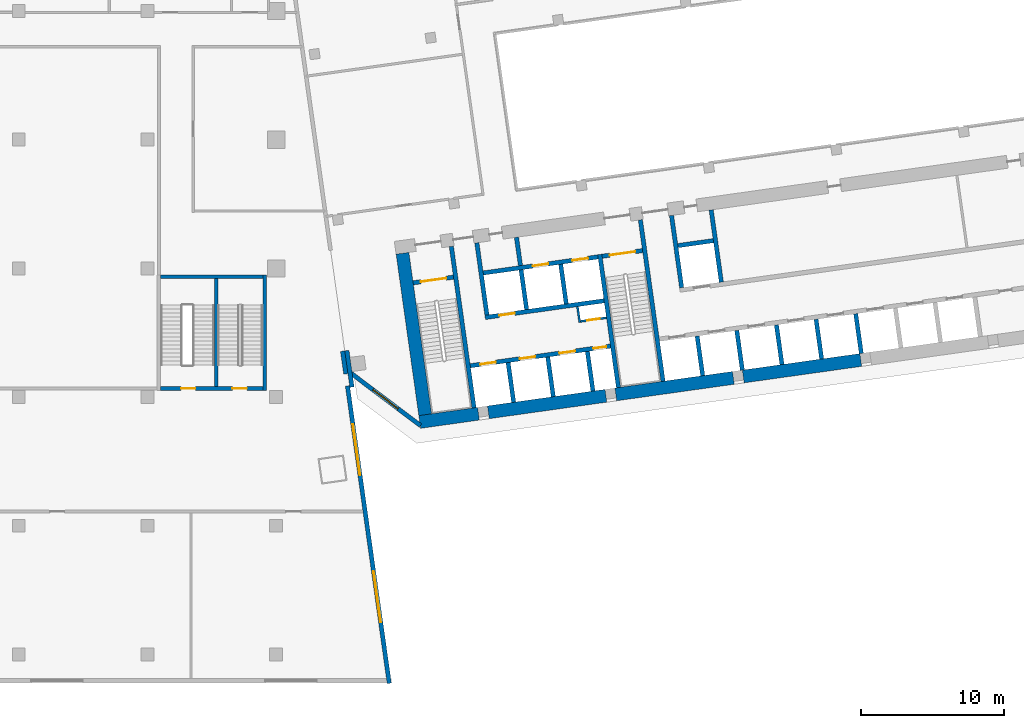
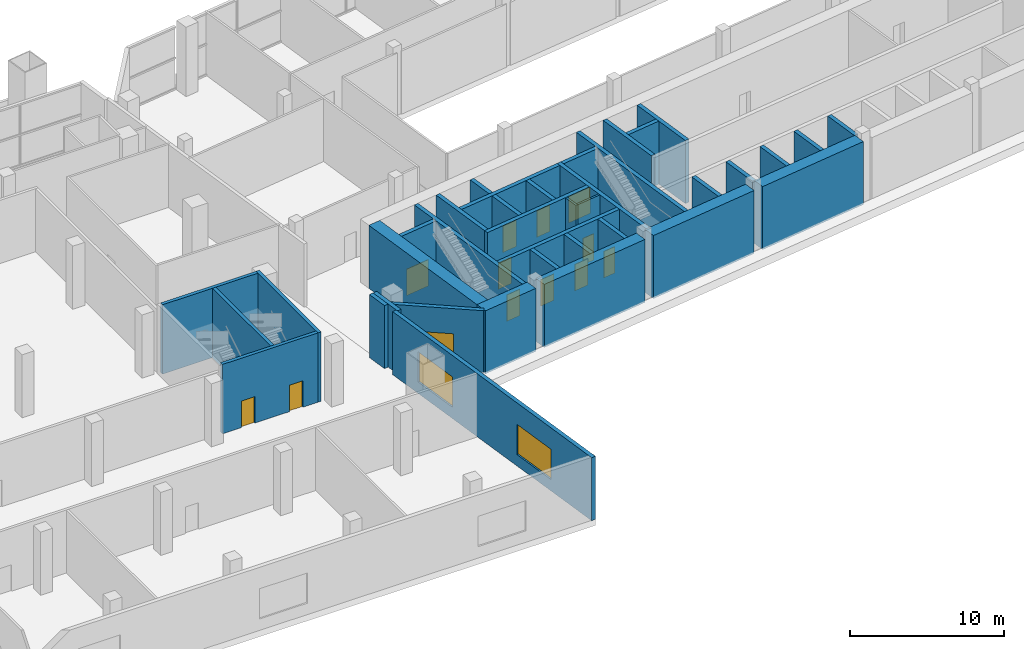
# One storey, part 15 of 23: 38 walls, 12 doors, 3 windows, 15 openings.
"""IFC4 building model written with IfcOpenShell, lengths in metres."""

import ifcopenshell
import ifcopenshell.guid

model = None  # the IFC model being written
_history = None  # IfcOwnerHistory: only IFC2X3 demands one
_inside = {}  # id of a spatial element -> (the spatial element, [elements in it])
_under = {}  # id of a project, library or spatial element -> (it, [spatial elements below it])
_declared = {}  # id of a project -> (the project, [libraries it declares])
_typed = {}  # id of a type object -> (the type object, [elements of that type])
_made_of = {}  # id of a material, layer set ... -> (it, [elements and type objects made of it])


def new_model(schema):
    """Start an empty IFC model of exactly this schema.

    Asked for "IFC4X3", IfcOpenShell would pick the latest addendum, in which some entities
    have other attributes; the version numbers below select the first issue.
    IFC2X3 requires an IfcOwnerHistory on every rooted entity: one is made here for all.
    """
    global model, _history
    if schema == "IFC4X3":
        model = ifcopenshell.file(schema_version=(4, 3, 0, 0))
    else:
        model = ifcopenshell.file(schema=schema)
    _inside.clear()
    _under.clear()
    _declared.clear()
    _typed.clear()
    _made_of.clear()
    _history = None
    if model.schema == "IFC2X3":
        org = make("IfcOrganization", Name="unknown")
        user = make(
            "IfcPersonAndOrganization",
            ThePerson=make("IfcPerson", FamilyName="unknown"),
            TheOrganization=org,
        )
        app = make(
            "IfcApplication",
            ApplicationDeveloper=org,
            Version="unknown",
            ApplicationFullName="unknown",
            ApplicationIdentifier="unknown",
        )
        _history = make(
            "IfcOwnerHistory",
            OwningUser=user,
            OwningApplication=app,
            ChangeAction="ADDED",
            CreationDate=0,
        )
    return model


def make(cls, **values):
    """One entity of the class cls with the attributes given. An attribute that is None is left unset."""
    return model.create_entity(
        cls, **{name: value for name, value in values.items() if value is not None}
    )


def rooted(cls, **values):
    """An entity with a GlobalId (a new one), such as an element, a storey or a relation."""
    return make(cls, GlobalId=ifcopenshell.guid.new(), OwnerHistory=_history, **values)


def si_unit(unit_type, name, prefix=None):
    """IfcSIUnit, for example si_unit("LENGTHUNIT", "METRE", prefix="MILLI")."""
    return make("IfcSIUnit", UnitType=unit_type, Prefix=prefix, Name=name)


def assignment(units):
    """IfcUnitAssignment: the units of a project."""
    return None if units is None else make("IfcUnitAssignment", Units=units)


def point(xyz):
    """IfcCartesianPoint."""
    return None if xyz is None else make("IfcCartesianPoint", Coordinates=xyz)


def direction(xyz):
    """IfcDirection."""
    return None if xyz is None else make("IfcDirection", DirectionRatios=xyz)


def frame(location, z_axis=None, x_axis=None):
    """IfcAxis2Placement3D, a coordinate frame: its origin and axes. An axis left out is left unset."""
    return make(
        "IfcAxis2Placement3D",
        Location=point(location),
        Axis=direction(z_axis),
        RefDirection=direction(x_axis),
    )


def frame_2d(location, x_axis=None):
    """IfcAxis2Placement2D, a coordinate frame in the plane: its origin and x axis."""
    return make(
        "IfcAxis2Placement2D", Location=point(location), RefDirection=direction(x_axis)
    )


def origin():
    """The frame at (0, 0, 0) with its axes left unset."""
    return frame((0.0, 0.0, 0.0))


def place(relative_to, where):
    """IfcLocalPlacement: puts the frame where relative to a parent placement (None: the world)."""
    return make(
        "IfcLocalPlacement", PlacementRelTo=relative_to, RelativePlacement=where
    )


def context(
    kind, dimensions, precision=None, world=None, true_north=None, identifier=None
):
    """IfcGeometricRepresentationContext, for example the 3D "Model" context."""
    return make(
        "IfcGeometricRepresentationContext",
        ContextIdentifier=identifier,
        ContextType=kind,
        CoordinateSpaceDimension=dimensions,
        Precision=precision,
        WorldCoordinateSystem=world,
        TrueNorth=true_north,
    )


def subcontext(parent, identifier, kind, view, scale=None):
    """IfcGeometricRepresentationSubContext, for example "Body" below "Model"."""
    return make(
        "IfcGeometricRepresentationSubContext",
        ContextIdentifier=identifier,
        ContextType=kind,
        ParentContext=parent,
        TargetScale=scale,
        TargetView=view,
    )


def project(units=None, contexts=None):
    """IfcProject with its units and contexts."""
    return rooted(
        "IfcProject",
        Name="project",
        RepresentationContexts=contexts,
        UnitsInContext=assignment(units),
    )


def spatial(cls, under=None, at=None, **own):
    """A site, building, storey or space (cls), placed at a placement, below another one or the project."""
    s = rooted(cls, ObjectPlacement=at, **own)
    if under is not None:
        _under.setdefault(under.id(), (under, []))[1].append(s)
    return s


def profile(cls, at=None, kind="AREA", **sizes):
    """A parametric profile (cls). Its sizes go by their IFC names, for example OverallWidth=200.0."""
    return make(cls, ProfileType=kind, Position=at, **sizes)


def rectangle(**sizes):
    """IfcRectangleProfileDef."""
    return profile("IfcRectangleProfileDef", **sizes)


def extrude(swept, where, along, depth):
    """IfcExtrudedAreaSolid: the profile swept, set in the frame where, extruded along a direction by depth."""
    return make(
        "IfcExtrudedAreaSolid",
        SweptArea=swept,
        Position=where,
        ExtrudedDirection=direction(along),
        Depth=depth,
    )


def shape(context_of_items, identifier, shape_type, items):
    """IfcShapeRepresentation: the items that make up one representation, for example the "Body"."""
    return make(
        "IfcShapeRepresentation",
        ContextOfItems=context_of_items,
        RepresentationIdentifier=identifier,
        RepresentationType=shape_type,
        Items=items,
    )


def material(Name=None, Category=None):
    """IfcMaterial."""
    return make("IfcMaterial", Name=Name, Category=Category)


def layer(
    of_material, thickness, ventilated=None, Name=None, Category=None, Priority=None
):
    """IfcMaterialLayer: one layer of a wall or slab, of a material (None: an air gap)."""
    return make(
        "IfcMaterialLayer",
        Material=of_material,
        LayerThickness=thickness,
        IsVentilated=ventilated,
        Name=Name,
        Category=Category,
        Priority=Priority,
    )


def layer_set(layers, Name=None):
    """IfcMaterialLayerSet."""
    return make("IfcMaterialLayerSet", MaterialLayers=layers, LayerSetName=Name)


def made_of(thing, what):
    """Note that an element or type object is made of a material, layer set ...; save() writes the relation."""
    if what is not None:
        _made_of.setdefault(what.id(), (what, []))[1].append(thing)
    return thing


def type_object(cls, material=None, **own):
    """A type object (cls), such as IfcWallType, which elements share."""
    return made_of(rooted(cls, **own), material)


def element(
    cls,
    number,
    at=None,
    inside=None,
    cuts=None,
    type_object=None,
    material=None,
    context=None,
    identifier="Body",
    shape_type=None,
    held_by="IfcProductDefinitionShape",
    body=None,
    shapes=None,
    **own,
):
    """One element of the class cls, such as IfcWall. Its Tag is "e" and its number.

    at: its placement. inside: the storey or other place that contains it. cuts: it is an
    opening in that element (IfcRelVoidsElement). A single representation is given by context,
    identifier, shape_type and body (its items); several are given by shapes. held_by: the class
    of the entity that holds the representations. save() writes the other relations.
    """
    e = rooted(cls, Tag="e%d" % number, ObjectPlacement=at, **own)
    if body is not None:
        shapes = [shape(context, identifier, shape_type, body)]
    if shapes is not None:
        e.Representation = make(held_by, Representations=shapes)
    if inside is not None:
        _inside.setdefault(inside.id(), (inside, []))[1].append(e)
    if cuts is not None:
        rooted(
            "IfcRelVoidsElement", RelatingBuildingElement=cuts, RelatedOpeningElement=e
        )
    if type_object is not None:
        _typed.setdefault(type_object.id(), (type_object, []))[1].append(e)
    return made_of(e, material)


def fill(opening, filler):
    """IfcRelFillsElement: the door or window that sits in an opening."""
    return rooted(
        "IfcRelFillsElement",
        RelatingOpeningElement=opening,
        RelatedBuildingElement=filler,
    )


def aggregate(whole, parts):
    """IfcRelAggregates: a whole, such as a stair, and the parts it consists of."""
    return rooted("IfcRelAggregates", RelatingObject=whole, RelatedObjects=parts)


def save(model, path):
    """Write the relations noted so far, then the file.

    IfcRelAggregates (storeys below a building ...), IfcRelContainedInSpatialStructure (elements
    in a storey), IfcRelDefinesByType, IfcRelAssociatesMaterial and IfcRelDeclares: one each for
    every whole, place, type object, material and project.
    """
    for whole, parts in _under.values():
        aggregate(whole, parts)
    for where, things in _inside.values():
        rooted(
            "IfcRelContainedInSpatialStructure",
            RelatedElements=things,
            RelatingStructure=where,
        )
    for kind, things in _typed.values():
        rooted("IfcRelDefinesByType", RelatedObjects=things, RelatingType=kind)
    for what, things in _made_of.values():
        rooted("IfcRelAssociatesMaterial", RelatedObjects=things, RelatingMaterial=what)
    for by, libraries in _declared.values():
        rooted("IfcRelDeclares", RelatingContext=by, RelatedDefinitions=libraries)
    model.write(path)


model = new_model("IFC4")

# Units and contexts
model_context = context("Model", 3, precision=1e-05, world=origin(), true_north=direction((0.0, 1.0)))
body_context = subcontext(model_context, "Body", "Model", "MODEL_VIEW")
ifc_project = project(units=[si_unit("LENGTHUNIT", "METRE"), si_unit("AREAUNIT", "SQUARE_METRE"), si_unit("VOLUMEUNIT", "CUBIC_METRE"), si_unit("PLANEANGLEUNIT", "RADIAN"), si_unit("MASSUNIT", "GRAM", prefix="KILO")], contexts=[model_context])

# Site, building, storey
site_placement = place(None, origin())
site = spatial("IfcSite", under=ifc_project, at=site_placement, CompositionType="ELEMENT")
building_placement = place(site_placement, origin())
building = spatial("IfcBuilding", under=site, at=building_placement, Name="Mirante Cascada Hotel Towers", CompositionType="ELEMENT")
storey_placement = place(building_placement, frame((0.0, 0.0, 23.5)))
storey = spatial("IfcBuildingStorey", under=building, at=storey_placement, Name="L03", CompositionType="ELEMENT", Elevation=23.5)

# Wall
ifc_material_1 = material(Name="Masonry block", Category="masonry")
ifc_layer_1 = layer(ifc_material_1, 0.15)
ifc_layer_set_1 = layer_set([ifc_layer_1], Name="Core room partition 150 block EI 30")
wall_type_1 = type_object("IfcWallType", Name="Core room partition 150 block EI 30", PredefinedType="PARTITIONING", material=ifc_layer_set_1)
wall_1_placement = place(storey_placement, frame((48.2295, -12.793, 0.0), z_axis=(0.0, 0.0, 1.0), x_axis=(-0.1391935, 0.9902652, 0.0)))
element("IfcWall", 1, at=wall_1_placement, inside=storey, type_object=wall_type_1, Name="Core wall partition T2 L03 2", PredefinedType="PARTITIONING", context=body_context, shape_type="SweptSolid", body=[
    extrude(rectangle(XDim=1.1251, YDim=0.15, at=frame_2d((0.5626, 0.0))), origin(), (0.0, 0.0, 1.0), 5.0),
])

# Wall, opening, door
wall_2_placement = place(storey_placement, frame((48.2933, -12.7083, 0.0), z_axis=(0.0, 0.0, 1.0), x_axis=(0.990268, 0.1391734, 0.0)))
wall_2 = element("IfcWall", 2, at=wall_2_placement, inside=storey, type_object=wall_type_1, Name="Core wall partition T2 L03 3", PredefinedType="PARTITIONING", context=body_context, shape_type="SweptSolid", body=[
    extrude(rectangle(XDim=1.8251, YDim=0.15, at=frame_2d((0.9126, 0.0))), origin(), (0.0, 0.0, 1.0), 5.0),
])
opening_1_placement = place(wall_2_placement, frame((0.4625, 0.0, 0.0)))
opening_1 = element("IfcOpeningElement", 3, at=opening_1_placement, cuts=wall_2, Name="Opening D2-03-C26", PredefinedType="OPENING", context=body_context, shape_type="SweptSolid", body=[
    extrude(rectangle(XDim=0.9, YDim=2.1, at=frame_2d((0.45, 1.05))), frame((0.0, 0.075, 0.0), z_axis=(0.0, -1.0, 0.0), x_axis=(1.0, 0.0, 0.0)), (0.0, 0.0, 1.0), 0.15),
])
ifc_material_2 = material(Name="Hollow metal fire door leaf")
door_type_1 = type_object("IfcDoorType", Name="Fire door 900x2100 FD60", OperationType="NOTDEFINED", PredefinedType="DOOR", material=ifc_material_2)
door_1_placement = place(opening_1_placement, frame((0.9, 0.0, 0.0), z_axis=(0.0, 0.0, 1.0), x_axis=(-1.0, 0.0, 0.0)))
door_1 = element("IfcDoor", 4, at=door_1_placement, inside=storey, type_object=door_type_1, Name="Riser door T2 L03 26", OperationType="SINGLE_SWING_LEFT", OverallHeight=2.1, OverallWidth=0.9, PredefinedType="DOOR", context=body_context, shape_type="SweptSolid", body=[
    extrude(rectangle(XDim=0.9, YDim=2.1, at=frame_2d((0.45, 1.05))), frame((0.0, 0.025, 0.0), z_axis=(0.0, -1.0, 0.0), x_axis=(1.0, 0.0, 0.0)), (0.0, 0.0, 1.0), 0.05),
])
fill(opening_1, door_1)

# Wall
ifc_material_3 = material(Name="Masonry block", Category="masonry")
ifc_layer_2 = layer(ifc_material_3, 0.3)
ifc_layer_set_2 = layer_set([ifc_layer_2], Name="Core wall 300 block EI 120")
wall_type_2 = type_object("IfcWallType", Name="Core wall 300 block EI 120", PredefinedType="PARTITIONING", material=ifc_layer_set_2)
wall_3_placement = place(storey_placement, frame((44.0843, -8.8061, 0.0), z_axis=(0.0, 0.0, 1.0), x_axis=(-0.1391951, 0.990265, 0.0)))
element("IfcWall", 5, at=wall_3_placement, inside=storey, type_object=wall_type_2, Name="Core wall partition T2 L03 1", PredefinedType="PARTITIONING", context=body_context, shape_type="SweptSolid", body=[
    extrude(rectangle(XDim=2.0001, YDim=0.3, at=frame_2d((1.0001, 0.0))), origin(), (0.0, 0.0, 1.0), 5.0),
])

# Wall, opening, window
ifc_material_4 = material(Name="Precast concrete C40/50", Category="concrete")
ifc_layer_3 = layer(ifc_material_4, 0.3)
ifc_layer_set_3 = layer_set([ifc_layer_3], Name="Precast concrete C40/50 cladding wall 300")
wall_type_3 = type_object("IfcWallType", Name="Precast concrete C40/50 cladding wall 300", PredefinedType="STANDARD", material=ifc_layer_set_3)
wall_4_placement = place(storey_placement, frame((32.2074, -16.3138, 0.0), z_axis=(0.0, 0.0, 1.0), x_axis=(0.7986362, -0.6018141, 0.0)))
wall_4 = element("IfcWall", 6, at=wall_4_placement, inside=storey, type_object=wall_type_3, Name="Corner cladding wall T2 L03 inner rear", PredefinedType="STANDARD", context=body_context, shape_type="SweptSolid", body=[
    extrude(rectangle(XDim=6.1157, YDim=0.3, at=frame_2d((3.0578, 0.0))), origin(), (0.0, 0.0, 1.0), 5.0),
])
opening_2_placement = place(wall_4_placement, frame((1.9578, 0.0, 0.6)))
opening_2 = element("IfcOpeningElement", 7, at=opening_2_placement, cuts=wall_4, Name="Opening W2-03-05", PredefinedType="OPENING", context=body_context, shape_type="SweptSolid", body=[
    extrude(rectangle(XDim=2.2, YDim=2.4, at=frame_2d((1.1, 1.2))), frame((0.0, 0.15, 0.0), z_axis=(0.0, -1.0, 0.0), x_axis=(1.0, 0.0, 0.0)), (0.0, 0.0, 1.0), 0.3),
])
ifc_material_5 = material(Name="Aluminium frame with clear double glazing", Category="aluminium")
window_type_1 = type_object("IfcWindowType", Name="Corner suite window 2200x2400", PartitioningType="DOUBLE_PANEL_VERTICAL", PredefinedType="WINDOW", material=ifc_material_5)
window_1_placement = place(opening_2_placement, origin())
window_1 = element("IfcWindow", 8, at=window_1_placement, inside=storey, type_object=window_type_1, Name="Window W2-03-05", OverallHeight=2.4, OverallWidth=2.2, PartitioningType="SINGLE_PANEL", PredefinedType="WINDOW", context=body_context, shape_type="SweptSolid", body=[
    extrude(rectangle(XDim=2.2, YDim=2.4, at=frame_2d((1.1, 1.2))), frame((0.0, 0.03, 0.0), z_axis=(0.0, -1.0, 0.0), x_axis=(1.0, 0.0, 0.0)), (0.0, 0.0, 1.0), 0.06),
])
fill(opening_2, window_1)

# Wall, openings, windows
wall_5_placement = place(storey_placement, frame((34.911, -38.0209, 0.0), z_axis=(0.0, 0.0, 1.0), x_axis=(-0.1391749, 0.9902678, 0.0)))
wall_5 = element("IfcWall", 9, at=wall_5_placement, inside=storey, type_object=wall_type_3, Name="Podium cladding wall L03 P:L03:2", PredefinedType="STANDARD", context=body_context, shape_type="SweptSolid", body=[
    extrude(rectangle(XDim=21.0052, YDim=0.3, at=frame_2d((10.5026, 0.0))), origin(), (0.0, 0.0, 1.0), 5.0),
])
opening_3_placement = place(wall_5_placement, frame((4.3046, 0.0, 0.9)))
opening_3 = element("IfcOpeningElement", 10, at=opening_3_placement, cuts=wall_5, Name="Opening WP-03-07", PredefinedType="OPENING", context=body_context, shape_type="SweptSolid", body=[
    extrude(rectangle(XDim=3.6, YDim=2.4, at=frame_2d((1.8, 1.2))), frame((0.0, 0.15, 0.0), z_axis=(0.0, -1.0, 0.0), x_axis=(1.0, 0.0, 0.0)), (0.0, 0.0, 1.0), 0.3),
])
opening_4_placement = place(wall_5_placement, frame((14.7059, 0.0, 0.9)))
opening_4 = element("IfcOpeningElement", 11, at=opening_4_placement, cuts=wall_5, Name="Opening WP-03-08", PredefinedType="OPENING", context=body_context, shape_type="SweptSolid", body=[
    extrude(rectangle(XDim=3.6, YDim=2.4, at=frame_2d((1.8, 1.2))), frame((0.0, 0.15, 0.0), z_axis=(0.0, -1.0, 0.0), x_axis=(1.0, 0.0, 0.0)), (0.0, 0.0, 1.0), 0.3),
])
ifc_material_6 = material(Name="Aluminium frame with clear double glazing", Category="aluminium")
window_type_2 = type_object("IfcWindowType", Name="Podium punched window 3600x2400", PartitioningType="DOUBLE_PANEL_VERTICAL", PredefinedType="WINDOW", material=ifc_material_6)
window_2_placement = place(opening_3_placement, origin())
window_2 = element("IfcWindow", 12, at=window_2_placement, inside=storey, type_object=window_type_2, Name="Window WP-03-07", OverallHeight=2.4, OverallWidth=3.6, PartitioningType="SINGLE_PANEL", PredefinedType="WINDOW", context=body_context, shape_type="SweptSolid", body=[
    extrude(rectangle(XDim=3.6, YDim=2.4, at=frame_2d((1.8, 1.2))), frame((0.0, 0.03, 0.0), z_axis=(0.0, -1.0, 0.0), x_axis=(1.0, 0.0, 0.0)), (0.0, 0.0, 1.0), 0.06),
])
fill(opening_3, window_2)
window_3_placement = place(opening_4_placement, origin())
window_3 = element("IfcWindow", 13, at=window_3_placement, inside=storey, type_object=window_type_2, Name="Window WP-03-08", OverallHeight=2.4, OverallWidth=3.6, PartitioningType="SINGLE_PANEL", PredefinedType="WINDOW", context=body_context, shape_type="SweptSolid", body=[
    extrude(rectangle(XDim=3.6, YDim=2.4, at=frame_2d((1.8, 1.2))), frame((0.0, 0.03, 0.0), z_axis=(0.0, -1.0, 0.0), x_axis=(1.0, 0.0, 0.0)), (0.0, 0.0, 1.0), 0.06),
])
fill(opening_4, window_3)

# Walls
wall_6_placement = place(storey_placement, frame((31.9434, -14.7504, 0.0), z_axis=(0.0, 0.0, 1.0), x_axis=(0.1391652, -0.9902692, 0.0)))
element("IfcWall", 14, at=wall_6_placement, inside=storey, type_object=wall_type_3, Name="Corner closure wall L03 4.1", PredefinedType="STANDARD", context=body_context, shape_type="SweptSolid", body=[
    extrude(rectangle(XDim=2.5818, YDim=0.3, at=frame_2d((1.2909, 0.0))), origin(), (0.0, 0.0, 1.0), 5.0),
])
wall_7_placement = place(storey_placement, frame((31.8695, -16.3798, 0.0), z_axis=(0.0, 0.0, 1.0), x_axis=(-0.1392118, 0.9902626, 0.0)))
element("IfcWall", 15, at=wall_7_placement, inside=storey, type_object=wall_type_3, Name="Corner closure wall L03 6.2", PredefinedType="STANDARD", context=body_context, shape_type="SweptSolid", body=[
    extrude(rectangle(XDim=1.6033, YDim=0.3, at=frame_2d((0.8016, 0.0))), origin(), (0.0, 0.0, 1.0), 5.0),
])
ifc_material_7 = material(Name="Concrete C50/60", Category="concrete")
ifc_layer_4 = layer(ifc_material_7, 0.3)
ifc_layer_set_4 = layer_set([ifc_layer_4], Name="RC core wall 300 C50/60")
wall_type_4 = type_object("IfcWallType", Name="RC core wall 300 C50/60", PredefinedType="SHEAR", material=ifc_layer_set_4)
wall_8_placement = place(storey_placement, frame((40.8373, -18.7548, 0.0), z_axis=(0.0, 0.0, 1.0), x_axis=(-0.1391749, 0.9902678, 0.0)))
element("IfcWall", 16, at=wall_8_placement, inside=storey, type_object=wall_type_4, Name="Core wall T2:L03:5", PredefinedType="SHEAR", context=body_context, shape_type="SweptSolid", body=[
    extrude(rectangle(XDim=11.4, YDim=0.3, at=frame_2d((5.7, 0.0))), origin(), (0.0, 0.0, 1.0), 5.0),
])
wall_9_placement = place(storey_placement, frame((50.938, -17.3352, 0.0), z_axis=(0.0, 0.0, 1.0), x_axis=(-0.1391706, 0.9902684, 0.0)))
element("IfcWall", 17, at=wall_9_placement, inside=storey, type_object=wall_type_4, Name="Core wall T2:L03:6", PredefinedType="SHEAR", context=body_context, shape_type="SweptSolid", body=[
    extrude(rectangle(XDim=9.4, YDim=0.3, at=frame_2d((4.7, 0.0))), origin(), (0.0, 0.0, 1.0), 5.0),
])
wall_10_placement = place(storey_placement, frame((54.0574, -16.8968, 0.0), z_axis=(0.0, 0.0, 1.0), x_axis=(-0.1391761, 0.9902677, 0.0)))
element("IfcWall", 18, at=wall_10_placement, inside=storey, type_object=wall_type_4, Name="Core wall T2:L03:7", PredefinedType="SHEAR", context=body_context, shape_type="SweptSolid", body=[
    extrude(rectangle(XDim=11.3999, YDim=0.3, at=frame_2d((5.7, 0.0))), origin(), (0.0, 0.0, 1.0), 5.0),
])

# Wall, opening, door
wall_11_placement = place(storey_placement, frame((36.5791, -10.0123, 0.0), z_axis=(0.0, 0.0, 1.0), x_axis=(0.9902704, 0.1391564, 0.0)))
wall_11 = element("IfcWall", 19, at=wall_11_placement, inside=storey, type_object=wall_type_4, Name="Core wall T2:L03:9", PredefinedType="SHEAR", context=body_context, shape_type="SweptSolid", body=[
    extrude(rectangle(XDim=2.85, YDim=0.3, at=frame_2d((1.425, 0.0))), origin(), (0.0, 0.0, 1.0), 5.0),
])
opening_5_placement = place(wall_11_placement, frame((0.525, 0.0, 0.0)))
opening_5 = element("IfcOpeningElement", 20, at=opening_5_placement, cuts=wall_11, Name="Opening D2-03-C16", PredefinedType="OPENING", context=body_context, shape_type="SweptSolid", body=[
    extrude(rectangle(XDim=1.8, YDim=2.1, at=frame_2d((0.9, 1.05))), frame((0.0, 0.15, 0.0), z_axis=(0.0, -1.0, 0.0), x_axis=(1.0, 0.0, 0.0)), (0.0, 0.0, 1.0), 0.3),
])
ifc_material_8 = material(Name="Hollow metal fire door leaf")
door_type_2 = type_object("IfcDoorType", Name="Double fire door 1800x2100 FD60", OperationType="DOUBLE_DOOR_SINGLE_SWING", PredefinedType="DOOR", material=ifc_material_8)
door_2_placement = place(opening_5_placement, frame((1.8, 0.0, 0.0), z_axis=(0.0, 0.0, 1.0), x_axis=(-1.0, 0.0, 0.0)))
door_2 = element("IfcDoor", 21, at=door_2_placement, inside=storey, type_object=door_type_2, Name="Stair door T2 L03 16", OperationType="DOUBLE_DOOR_SINGLE_SWING", OverallHeight=2.1, OverallWidth=1.8, PredefinedType="DOOR", context=body_context, shape_type="SweptSolid", body=[
    extrude(rectangle(XDim=0.895, YDim=2.1, at=frame_2d((0.4475, 1.05))), frame((0.0, 0.025, 0.0), z_axis=(0.0, -1.0, 0.0), x_axis=(1.0, 0.0, 0.0)), (0.0, 0.0, 1.0), 0.05),
    extrude(rectangle(XDim=0.895, YDim=2.1, at=frame_2d((1.3525, 1.05))), frame((0.0, 0.025, 0.0), z_axis=(0.0, -1.0, 0.0), x_axis=(1.0, 0.0, 0.0)), (0.0, 0.0, 1.0), 0.05),
])
fill(opening_5, door_2)

wall_12_placement = place(storey_placement, frame((49.7992, -8.1544, 0.0), z_axis=(0.0, 0.0, 1.0), x_axis=(0.9902656, 0.1391909, 0.0)))
wall_12 = element("IfcWall", 22, at=wall_12_placement, inside=storey, type_object=wall_type_4, Name="Core wall T2:L03:10", PredefinedType="SHEAR", context=body_context, shape_type="SweptSolid", body=[
    extrude(rectangle(XDim=2.85, YDim=0.3, at=frame_2d((1.425, 0.0))), origin(), (0.0, 0.0, 1.0), 5.0),
])
opening_6_placement = place(wall_12_placement, frame((0.525, 0.0, 0.0)))
opening_6 = element("IfcOpeningElement", 23, at=opening_6_placement, cuts=wall_12, Name="Opening D2-03-C18", PredefinedType="OPENING", context=body_context, shape_type="SweptSolid", body=[
    extrude(rectangle(XDim=1.8, YDim=2.1, at=frame_2d((0.9, 1.05))), frame((0.0, 0.15, 0.0), z_axis=(0.0, -1.0, 0.0), x_axis=(1.0, 0.0, 0.0)), (0.0, 0.0, 1.0), 0.3),
])
door_3_placement = place(opening_6_placement, frame((1.8, 0.0, 0.0), z_axis=(0.0, 0.0, 1.0), x_axis=(-1.0, 0.0, 0.0)))
door_3 = element("IfcDoor", 24, at=door_3_placement, inside=storey, type_object=door_type_2, Name="Stair door T2 L03 18", OperationType="DOUBLE_DOOR_SINGLE_SWING", OverallHeight=2.1, OverallWidth=1.8, PredefinedType="DOOR", context=body_context, shape_type="SweptSolid", body=[
    extrude(rectangle(XDim=0.895, YDim=2.1, at=frame_2d((0.4475, 1.05))), frame((0.0, 0.025, 0.0), z_axis=(0.0, -1.0, 0.0), x_axis=(1.0, 0.0, 0.0)), (0.0, 0.0, 1.0), 0.05),
    extrude(rectangle(XDim=0.895, YDim=2.1, at=frame_2d((1.3525, 1.05))), frame((0.0, 0.025, 0.0), z_axis=(0.0, -1.0, 0.0), x_axis=(1.0, 0.0, 0.0)), (0.0, 0.0, 1.0), 0.05),
])
fill(opening_6, door_3)

# Wall, openings, doors
wall_13_placement = place(storey_placement, frame((40.5753, -15.8126, 0.0), z_axis=(0.0, 0.0, 1.0), x_axis=(0.9902682, 0.1391725, 0.0)))
wall_13 = element("IfcWall", 25, at=wall_13_placement, inside=storey, type_object=wall_type_4, Name="Core wall T2:L03:12", PredefinedType="SHEAR", context=body_context, shape_type="SweptSolid", body=[
    extrude(rectangle(XDim=9.8999, YDim=0.3, at=frame_2d((4.95, 0.0))), origin(), (0.0, 0.0, 1.0), 5.0),
])
opening_7_placement = place(wall_13_placement, frame((0.7, 0.0, 0.0)))
opening_7 = element("IfcOpeningElement", 26, at=opening_7_placement, cuts=wall_13, Name="Opening LD", PredefinedType="OPENING", context=body_context, shape_type="SweptSolid", body=[
    extrude(rectangle(XDim=1.1, YDim=2.1, at=frame_2d((0.55, 1.05))), frame((0.0, 0.15, 0.0), z_axis=(0.0, -1.0, 0.0), x_axis=(1.0, 0.0, 0.0)), (0.0, 0.0, 1.0), 0.3),
])
opening_8_placement = place(wall_13_placement, frame((3.5, 0.0, 0.0)))
opening_8 = element("IfcOpeningElement", 27, at=opening_8_placement, cuts=wall_13, Name="Opening LD", PredefinedType="OPENING", context=body_context, shape_type="SweptSolid", body=[
    extrude(rectangle(XDim=1.1, YDim=2.1, at=frame_2d((0.55, 1.05))), frame((0.0, 0.15, 0.0), z_axis=(0.0, -1.0, 0.0), x_axis=(1.0, 0.0, 0.0)), (0.0, 0.0, 1.0), 0.3),
])
opening_9_placement = place(wall_13_placement, frame((6.3, 0.0, 0.0)))
opening_9 = element("IfcOpeningElement", 28, at=opening_9_placement, cuts=wall_13, Name="Opening LD", PredefinedType="OPENING", context=body_context, shape_type="SweptSolid", body=[
    extrude(rectangle(XDim=1.1, YDim=2.1, at=frame_2d((0.55, 1.05))), frame((0.0, 0.15, 0.0), z_axis=(0.0, -1.0, 0.0), x_axis=(1.0, 0.0, 0.0)), (0.0, 0.0, 1.0), 0.3),
])
opening_10_placement = place(wall_13_placement, frame((8.7, 0.0, 0.0)))
opening_10 = element("IfcOpeningElement", 29, at=opening_10_placement, cuts=wall_13, Name="Opening D2-03-C25", PredefinedType="OPENING", context=body_context, shape_type="SweptSolid", body=[
    extrude(rectangle(XDim=0.9, YDim=2.1, at=frame_2d((0.45, 1.05))), frame((0.0, 0.15, 0.0), z_axis=(0.0, -1.0, 0.0), x_axis=(1.0, 0.0, 0.0)), (0.0, 0.0, 1.0), 0.3),
])
door_4_placement = place(opening_10_placement, frame((0.9, 0.0, 0.0), z_axis=(0.0, 0.0, 1.0), x_axis=(-1.0, 0.0, 0.0)))
door_4 = element("IfcDoor", 30, at=door_4_placement, inside=storey, type_object=door_type_1, Name="Riser door T2 L03 25", OperationType="SINGLE_SWING_RIGHT", OverallHeight=2.1, OverallWidth=0.9, PredefinedType="DOOR", context=body_context, shape_type="SweptSolid", body=[
    extrude(rectangle(XDim=0.9, YDim=2.1, at=frame_2d((0.45, 1.05))), frame((0.0, 0.025, 0.0), z_axis=(0.0, -1.0, 0.0), x_axis=(1.0, 0.0, 0.0)), (0.0, 0.0, 1.0), 0.05),
])
fill(opening_10, door_4)
ifc_material_9 = material(Name="Stainless steel", Category="steel")
door_type_3 = type_object("IfcDoorType", Name="Lift landing door 1100x2100 EI 120", OperationType="DOUBLE_DOOR_SLIDING", PredefinedType="DOOR", material=ifc_material_9)
door_5_placement = place(opening_7_placement, origin())
door_5 = element("IfcDoor", 31, at=door_5_placement, inside=storey, type_object=door_type_3, Name="Lift landing door HR2-1 L03", OperationType="DOUBLE_DOOR_SLIDING", OverallHeight=2.1, OverallWidth=1.1, PredefinedType="DOOR", context=body_context, shape_type="SweptSolid", body=[
    extrude(rectangle(XDim=0.545, YDim=2.1, at=frame_2d((0.2725, 1.05))), frame((0.0, 0.025, 0.0), z_axis=(0.0, -1.0, 0.0), x_axis=(1.0, 0.0, 0.0)), (0.0, 0.0, 1.0), 0.05),
    extrude(rectangle(XDim=0.545, YDim=2.1, at=frame_2d((0.8275, 1.05))), frame((0.0, 0.025, 0.0), z_axis=(0.0, -1.0, 0.0), x_axis=(1.0, 0.0, 0.0)), (0.0, 0.0, 1.0), 0.05),
])
fill(opening_7, door_5)
door_6_placement = place(opening_8_placement, origin())
door_6 = element("IfcDoor", 32, at=door_6_placement, inside=storey, type_object=door_type_3, Name="Lift landing door HR2-2 L03", OperationType="DOUBLE_DOOR_SLIDING", OverallHeight=2.1, OverallWidth=1.1, PredefinedType="DOOR", context=body_context, shape_type="SweptSolid", body=[
    extrude(rectangle(XDim=0.545, YDim=2.1, at=frame_2d((0.2725, 1.05))), frame((0.0, 0.025, 0.0), z_axis=(0.0, -1.0, 0.0), x_axis=(1.0, 0.0, 0.0)), (0.0, 0.0, 1.0), 0.05),
    extrude(rectangle(XDim=0.545, YDim=2.1, at=frame_2d((0.8275, 1.05))), frame((0.0, 0.025, 0.0), z_axis=(0.0, -1.0, 0.0), x_axis=(1.0, 0.0, 0.0)), (0.0, 0.0, 1.0), 0.05),
])
fill(opening_8, door_6)
door_7_placement = place(opening_9_placement, origin())
door_7 = element("IfcDoor", 33, at=door_7_placement, inside=storey, type_object=door_type_3, Name="Lift landing door HR2-3 L03", OperationType="DOUBLE_DOOR_SLIDING", OverallHeight=2.1, OverallWidth=1.1, PredefinedType="DOOR", context=body_context, shape_type="SweptSolid", body=[
    extrude(rectangle(XDim=0.545, YDim=2.1, at=frame_2d((0.2725, 1.05))), frame((0.0, 0.025, 0.0), z_axis=(0.0, -1.0, 0.0), x_axis=(1.0, 0.0, 0.0)), (0.0, 0.0, 1.0), 0.05),
    extrude(rectangle(XDim=0.545, YDim=2.1, at=frame_2d((0.8275, 1.05))), frame((0.0, 0.025, 0.0), z_axis=(0.0, -1.0, 0.0), x_axis=(1.0, 0.0, 0.0)), (0.0, 0.0, 1.0), 0.05),
])
fill(opening_9, door_7)

# Wall, opening, door
wall_14_placement = place(storey_placement, frame((41.6153, -12.435, 0.0), z_axis=(0.0, 0.0, 1.0), x_axis=(0.9902691, 0.139166, 0.0)))
wall_14 = element("IfcWall", 34, at=wall_14_placement, inside=storey, type_object=wall_type_4, Name="Core wall T2:L03:13", PredefinedType="SHEAR", context=body_context, shape_type="SweptSolid", body=[
    extrude(rectangle(XDim=8.4, YDim=0.3, at=frame_2d((4.2, 0.0))), origin(), (0.0, 0.0, 1.0), 5.0),
])
opening_11_placement = place(wall_14_placement, frame((1.0, 0.0, 0.0)))
opening_11 = element("IfcOpeningElement", 35, at=opening_11_placement, cuts=wall_14, Name="Opening LD", PredefinedType="OPENING", context=body_context, shape_type="SweptSolid", body=[
    extrude(rectangle(XDim=1.1, YDim=2.1, at=frame_2d((0.55, 1.05))), frame((0.0, 0.15, 0.0), z_axis=(0.0, -1.0, 0.0), x_axis=(1.0, 0.0, 0.0)), (0.0, 0.0, 1.0), 0.3),
])
door_8_placement = place(opening_11_placement, origin())
door_8 = element("IfcDoor", 36, at=door_8_placement, inside=storey, type_object=door_type_3, Name="Lift landing door HR2-4 L03", OperationType="DOUBLE_DOOR_SLIDING", OverallHeight=2.1, OverallWidth=1.1, PredefinedType="DOOR", context=body_context, shape_type="SweptSolid", body=[
    extrude(rectangle(XDim=0.545, YDim=2.1, at=frame_2d((0.2725, 1.05))), frame((0.0, 0.025, 0.0), z_axis=(0.0, -1.0, 0.0), x_axis=(1.0, 0.0, 0.0)), (0.0, 0.0, 1.0), 0.05),
    extrude(rectangle(XDim=0.545, YDim=2.1, at=frame_2d((0.8275, 1.05))), frame((0.0, 0.025, 0.0), z_axis=(0.0, -1.0, 0.0), x_axis=(1.0, 0.0, 0.0)), (0.0, 0.0, 1.0), 0.05),
])
fill(opening_11, door_8)

# Wall, openings, doors
wall_15_placement = place(storey_placement, frame((41.481, -9.3234, 0.0), z_axis=(0.0, 0.0, 1.0), x_axis=(0.9902679, 0.1391741, 0.0)))
wall_15 = element("IfcWall", 37, at=wall_15_placement, inside=storey, type_object=wall_type_4, Name="Core wall T2:L03:14", PredefinedType="SHEAR", context=body_context, shape_type="SweptSolid", body=[
    extrude(rectangle(XDim=8.0999, YDim=0.3, at=frame_2d((4.05, 0.0))), origin(), (0.0, 0.0, 1.0), 5.0),
])
opening_12_placement = place(wall_15_placement, frame((3.5, 0.0, 0.0)))
opening_12 = element("IfcOpeningElement", 38, at=opening_12_placement, cuts=wall_15, Name="Opening LD", PredefinedType="OPENING", context=body_context, shape_type="SweptSolid", body=[
    extrude(rectangle(XDim=1.1, YDim=2.1, at=frame_2d((0.55, 1.05))), frame((0.0, 0.15, 0.0), z_axis=(0.0, -1.0, 0.0), x_axis=(1.0, 0.0, 0.0)), (0.0, 0.0, 1.0), 0.3),
])
opening_13_placement = place(wall_15_placement, frame((6.3, 0.0, 0.0)))
opening_13 = element("IfcOpeningElement", 39, at=opening_13_placement, cuts=wall_15, Name="Opening LD", PredefinedType="OPENING", context=body_context, shape_type="SweptSolid", body=[
    extrude(rectangle(XDim=1.1, YDim=2.1, at=frame_2d((0.55, 1.05))), frame((0.0, 0.15, 0.0), z_axis=(0.0, -1.0, 0.0), x_axis=(1.0, 0.0, 0.0)), (0.0, 0.0, 1.0), 0.3),
])
door_9_placement = place(opening_12_placement, origin())
door_9 = element("IfcDoor", 40, at=door_9_placement, inside=storey, type_object=door_type_3, Name="Lift landing door FF3 L03", OperationType="DOUBLE_DOOR_SLIDING", OverallHeight=2.1, OverallWidth=1.1, PredefinedType="DOOR", context=body_context, shape_type="SweptSolid", body=[
    extrude(rectangle(XDim=0.545, YDim=2.1, at=frame_2d((0.2725, 1.05))), frame((0.0, 0.025, 0.0), z_axis=(0.0, -1.0, 0.0), x_axis=(1.0, 0.0, 0.0)), (0.0, 0.0, 1.0), 0.05),
    extrude(rectangle(XDim=0.545, YDim=2.1, at=frame_2d((0.8275, 1.05))), frame((0.0, 0.025, 0.0), z_axis=(0.0, -1.0, 0.0), x_axis=(1.0, 0.0, 0.0)), (0.0, 0.0, 1.0), 0.05),
])
fill(opening_12, door_9)
door_10_placement = place(opening_13_placement, origin())
door_10 = element("IfcDoor", 41, at=door_10_placement, inside=storey, type_object=door_type_3, Name="Lift landing door FF4 L03", OperationType="DOUBLE_DOOR_SLIDING", OverallHeight=2.1, OverallWidth=1.1, PredefinedType="DOOR", context=body_context, shape_type="SweptSolid", body=[
    extrude(rectangle(XDim=0.545, YDim=2.1, at=frame_2d((0.2725, 1.05))), frame((0.0, 0.025, 0.0), z_axis=(0.0, -1.0, 0.0), x_axis=(1.0, 0.0, 0.0)), (0.0, 0.0, 1.0), 0.05),
    extrude(rectangle(XDim=0.545, YDim=2.1, at=frame_2d((0.8275, 1.05))), frame((0.0, 0.025, 0.0), z_axis=(0.0, -1.0, 0.0), x_axis=(1.0, 0.0, 0.0)), (0.0, 0.0, 1.0), 0.05),
])
fill(opening_13, door_10)

# Walls
wall_16_placement = place(storey_placement, frame((43.61, -18.3651, 0.0), z_axis=(0.0, 0.0, 1.0), x_axis=(-0.1391459, 0.9902719, 0.0)))
element("IfcWall", 42, at=wall_16_placement, inside=storey, type_object=wall_type_4, Name="Core wall T2:L03:15", PredefinedType="SHEAR", context=body_context, shape_type="SweptSolid", body=[
    extrude(rectangle(XDim=2.7999, YDim=0.3, at=frame_2d((1.4, 0.0))), origin(), (0.0, 0.0, 1.0), 5.0),
])
wall_17_placement = place(storey_placement, frame((46.3828, -17.9754, 0.0), z_axis=(0.0, 0.0, 1.0), x_axis=(-0.139181, 0.990267, 0.0)))
element("IfcWall", 43, at=wall_17_placement, inside=storey, type_object=wall_type_4, Name="Core wall T2:L03:16", PredefinedType="SHEAR", context=body_context, shape_type="SweptSolid", body=[
    extrude(rectangle(XDim=2.8, YDim=0.3, at=frame_2d((1.4, 0.0))), origin(), (0.0, 0.0, 1.0), 5.0),
])
wall_18_placement = place(storey_placement, frame((49.1555, -17.5857, 0.0), z_axis=(0.0, 0.0, 1.0), x_axis=(-0.1391459, 0.9902719, 0.0)))
element("IfcWall", 44, at=wall_18_placement, inside=storey, type_object=wall_type_4, Name="Core wall T2:L03:17", PredefinedType="SHEAR", context=body_context, shape_type="SweptSolid", body=[
    extrude(rectangle(XDim=2.7999, YDim=0.3, at=frame_2d((1.4, 0.0))), origin(), (0.0, 0.0, 1.0), 5.0),
])
for number, where, z_axis, x_axis, name in (
    (45, (44.5157, -11.8759, 0.0), (0.0, 0.0, 1.0), (-0.139181, 0.990267, 0.0), "Core wall T2:L03:18"),
    (46, (47.2885, -11.4862, 0.0), (0.0, 0.0, 1.0), (-0.139181, 0.990267, 0.0), "Core wall T2:L03:19"),
):
    element("IfcWall", number, at=place(storey_placement, frame(where, z_axis=z_axis, x_axis=x_axis)), inside=storey, type_object=wall_type_4, Name=name, PredefinedType="SHEAR", context=body_context, shape_type="SweptSolid", body=[
        extrude(rectangle(XDim=2.8, YDim=0.3, at=frame_2d((1.4, 0.0))), origin(), (0.0, 0.0, 1.0), 5.0),
    ])
wall_19_placement = place(storey_placement, frame((41.743, -12.2656, 0.0), z_axis=(0.0, 0.0, 1.0), x_axis=(-0.1391755, 0.9902677, 0.0)))
element("IfcWall", 47, at=wall_19_placement, inside=storey, type_object=wall_type_4, Name="Core wall T2:L03:20", PredefinedType="SHEAR", context=body_context, shape_type="SweptSolid", body=[
    extrude(rectangle(XDim=5.1, YDim=0.3, at=frame_2d((2.55, 0.0))), origin(), (0.0, 0.0, 1.0), 5.0),
])
for number, where, z_axis, x_axis, name in (
    (48, (56.8301, -16.5072, 0.0), (0.0, 0.0, 1.0), (-0.139176, 0.9902677, 0.0), "Core wall T2:L03:25"),
    (49, (59.6029, -16.1175, 0.0), (0.0, 0.0, 1.0), (-0.139176, 0.9902677, 0.0), "Core wall T2:L03:26"),
    (50, (62.3756, -15.7278, 0.0), (0.0, 0.0, 1.0), (-0.139176, 0.9902677, 0.0), "Core wall T2:L03:27"),
    (51, (65.1484, -15.3381, 0.0), (0.0, 0.0, 1.0), (-0.139176, 0.9902677, 0.0), "Core wall T2:L03:28"),
):
    element("IfcWall", number, at=place(storey_placement, frame(where, z_axis=z_axis, x_axis=x_axis)), inside=storey, type_object=wall_type_4, Name=name, PredefinedType="SHEAR", context=body_context, shape_type="SweptSolid", body=[
        extrude(rectangle(XDim=2.8001, YDim=0.3, at=frame_2d((1.4, 0.0))), origin(), (0.0, 0.0, 1.0), 5.0),
    ])
wall_20_placement = place(storey_placement, frame((67.9211, -14.9484, 0.0), z_axis=(0.0, 0.0, 1.0), x_axis=(-0.139181, 0.990267, 0.0)))
element("IfcWall", 52, at=wall_20_placement, inside=storey, type_object=wall_type_4, Name="Core wall T2:L03:29", PredefinedType="SHEAR", context=body_context, shape_type="SweptSolid", body=[
    extrude(rectangle(XDim=2.8, YDim=0.3, at=frame_2d((1.4, 0.0))), origin(), (0.0, 0.0, 1.0), 5.0),
])
for number, where, z_axis, x_axis, name in (
    (53, (55.3592, -10.352, 0.0), (0.0, 0.0, 1.0), (-0.1391755, 0.9902677, 0.0), "Core wall T2:L03:35"),
    (54, (58.1319, -9.9623, 0.0), (0.0, 0.0, 1.0), (-0.1391755, 0.9902677, 0.0), "Core wall T2:L03:37"),
):
    element("IfcWall", number, at=place(storey_placement, frame(where, z_axis=z_axis, x_axis=x_axis)), inside=storey, type_object=wall_type_4, Name=name, PredefinedType="SHEAR", context=body_context, shape_type="SweptSolid", body=[
        extrude(rectangle(XDim=5.1, YDim=0.3, at=frame_2d((2.55, 0.0))), origin(), (0.0, 0.0, 1.0), 5.0),
    ])
wall_21_placement = place(storey_placement, frame((55.0971, -7.4098, 0.0), z_axis=(0.0, 0.0, 1.0), x_axis=(0.9902701, 0.1391586, 0.0)))
element("IfcWall", 55, at=wall_21_placement, inside=storey, type_object=wall_type_4, Name="Core wall T2:L03:38", PredefinedType="SHEAR", context=body_context, shape_type="SweptSolid", body=[
    extrude(rectangle(XDim=2.5, YDim=0.3, at=frame_2d((1.25, 0.0))), origin(), (0.0, 0.0, 1.0), 5.0),
])
ifc_material_10 = material(Name="Concrete C50/60", Category="concrete")
ifc_layer_5 = layer(ifc_material_10, 0.9)
ifc_layer_set_5 = layer_set([ifc_layer_5], Name="RC core wall 900 C50/60")
wall_type_5 = type_object("IfcWallType", Name="RC core wall 900 C50/60", PredefinedType="SHEAR", material=ifc_layer_set_5)
wall_22_placement = place(storey_placement, frame((37.0379, -19.7432, 0.0), z_axis=(0.0, 0.0, 1.0), x_axis=(0.990267, 0.139181, 0.0)))
element("IfcWall", 56, at=wall_22_placement, inside=storey, type_object=wall_type_5, Name="Core wall T2:L03:1.1", PredefinedType="SHEAR", context=body_context, shape_type="SweptSolid", body=[
    extrude(rectangle(XDim=4.15, YDim=0.9, at=frame_2d((2.075, 0.0))), origin(), (0.0, 0.0, 1.0), 5.0),
])
for number, where, z_axis, x_axis, name in (
    (57, (41.8407, -19.0682, 0.0), (0.0, 0.0, 1.0), (0.9902686, 0.1391692, 0.0), "Core wall T2:L03:1.2"),
    (58, (50.7531, -17.8156, 0.0), (0.0, 0.0, 1.0), (0.9902686, 0.1391692, 0.0), "Core wall T2:L03:1.3"),
    (59, (59.6655, -16.5631, 0.0), (0.0, 0.0, 1.0), (0.9902686, 0.1391692, 0.0), "Core wall T2:L03:1.4"),
):
    element("IfcWall", number, at=place(storey_placement, frame(where, z_axis=z_axis, x_axis=x_axis)), inside=storey, type_object=wall_type_5, Name=name, PredefinedType="SHEAR", context=body_context, shape_type="SweptSolid", body=[
        extrude(rectangle(XDim=8.3, YDim=0.9, at=frame_2d((4.15, 0.0))), origin(), (0.0, 0.0, 1.0), 5.0),
    ])
wall_23_placement = place(storey_placement, frame((37.4209, -19.2349, 0.0), z_axis=(0.0, 0.0, 1.0), x_axis=(-0.1391761, 0.9902677, 0.0)))
element("IfcWall", 60, at=wall_23_placement, inside=storey, type_object=wall_type_5, Name="Core wall T2:L03:3", PredefinedType="SHEAR", context=body_context, shape_type="SweptSolid", body=[
    extrude(rectangle(XDim=11.3999, YDim=0.9, at=frame_2d((5.7, 0.0))), origin(), (0.0, 0.0, 1.0), 5.0),
])

# Wall, openings, doors
ifc_material_11 = material(Name="Concrete C35/45", Category="concrete")
ifc_layer_6 = layer(ifc_material_11, 0.25)
ifc_layer_set_6 = layer_set([ifc_layer_6], Name="Stair wall 250 concrete C35/45 EI 120")
wall_type_6 = type_object("IfcWallType", Name="Stair wall 250 concrete C35/45 EI 120", PredefinedType="STANDARD", material=ifc_layer_set_6)
wall_24_placement = place(storey_placement, frame((18.915, -17.4, 0.0), z_axis=(0.0, 0.0, 1.0), x_axis=(1.0, 0.0, 0.0)))
wall_24 = element("IfcWall", 61, at=wall_24_placement, inside=storey, type_object=wall_type_6, Name="Stair wall P L03", PredefinedType="STANDARD", context=body_context, shape_type="SweptSolid", body=[
    extrude(rectangle(XDim=7.17, YDim=0.25, at=frame_2d((3.585, 0.0))), origin(), (0.0, 0.0, 1.0), 5.5),
])
opening_14_placement = place(wall_24_placement, frame((5.0275, 0.0, 0.0)))
opening_14 = element("IfcOpeningElement", 62, at=opening_14_placement, cuts=wall_24, Name="Opening DP-L03-03", PredefinedType="OPENING", context=body_context, shape_type="SweptSolid", body=[
    extrude(rectangle(XDim=1.0, YDim=2.1, at=frame_2d((0.5, 1.05))), frame((0.0, 0.125, 0.0), z_axis=(0.0, -1.0, 0.0), x_axis=(1.0, 0.0, 0.0)), (0.0, 0.0, 1.0), 0.25),
])
opening_15_placement = place(wall_24_placement, frame((1.4425, 0.0, 0.0)))
opening_15 = element("IfcOpeningElement", 63, at=opening_15_placement, cuts=wall_24, Name="Opening DP-L03-04", PredefinedType="OPENING", context=body_context, shape_type="SweptSolid", body=[
    extrude(rectangle(XDim=1.0, YDim=2.1, at=frame_2d((0.5, 1.05))), frame((0.0, 0.125, 0.0), z_axis=(0.0, -1.0, 0.0), x_axis=(1.0, 0.0, 0.0)), (0.0, 0.0, 1.0), 0.25),
])
ifc_material_12 = material(Name="Hollow metal fire door leaf")
door_type_4 = type_object("IfcDoorType", Name="Fire door 1000x2100 FD60", OperationType="NOTDEFINED", PredefinedType="DOOR", material=ifc_material_12)
door_11_placement = place(opening_14_placement, origin())
door_11 = element("IfcDoor", 64, at=door_11_placement, inside=storey, type_object=door_type_4, Name="Door DP-L03-03", OperationType="SINGLE_SWING_LEFT", OverallHeight=2.1, OverallWidth=1.0, PredefinedType="DOOR", context=body_context, shape_type="SweptSolid", body=[
    extrude(rectangle(XDim=1.0, YDim=2.1, at=frame_2d((0.5, 1.05))), frame((0.0, 0.025, 0.0), z_axis=(0.0, -1.0, 0.0), x_axis=(1.0, 0.0, 0.0)), (0.0, 0.0, 1.0), 0.05),
])
fill(opening_14, door_11)
door_12_placement = place(opening_15_placement, origin())
door_12 = element("IfcDoor", 65, at=door_12_placement, inside=storey, type_object=door_type_4, Name="Door DP-L03-04", OperationType="SINGLE_SWING_RIGHT", OverallHeight=2.1, OverallWidth=1.0, PredefinedType="DOOR", context=body_context, shape_type="SweptSolid", body=[
    extrude(rectangle(XDim=1.0, YDim=2.1, at=frame_2d((0.5, 1.05))), frame((0.0, 0.025, 0.0), z_axis=(0.0, -1.0, 0.0), x_axis=(1.0, 0.0, 0.0)), (0.0, 0.0, 1.0), 0.05),
])
fill(opening_15, door_12)

# Walls
wall_25_placement = place(storey_placement, frame((18.925, -9.6, 0.0), z_axis=(0.0, 0.0, 1.0), x_axis=(1.0, 0.0, 0.0)))
element("IfcWall", 66, at=wall_25_placement, inside=storey, type_object=wall_type_6, Name="Stair wall P L03", PredefinedType="STANDARD", context=body_context, shape_type="SweptSolid", body=[
    extrude(rectangle(XDim=7.15, YDim=0.25, at=frame_2d((3.575, 0.0))), origin(), (0.0, 0.0, 1.0), 5.5),
])
wall_26_placement = place(storey_placement, frame((26.2, -17.525, 0.0), z_axis=(0.0, 0.0, 1.0), x_axis=(0.0, 1.0, 0.0)))
element("IfcWall", 67, at=wall_26_placement, inside=storey, type_object=wall_type_6, Name="Stair wall P L03", PredefinedType="STANDARD", context=body_context, shape_type="SweptSolid", body=[
    extrude(rectangle(XDim=8.05, YDim=0.25, at=frame_2d((4.025, 0.0))), origin(), (0.0, 0.0, 1.0), 5.5),
])
wall_27_placement = place(storey_placement, frame((22.8, -17.275, 0.0), z_axis=(0.0, 0.0, 1.0), x_axis=(0.0, 1.0, 0.0)))
element("IfcWall", 68, at=wall_27_placement, inside=storey, type_object=wall_type_6, Name="Stair wall P L03", PredefinedType="STANDARD", context=body_context, shape_type="SweptSolid", body=[
    extrude(rectangle(XDim=7.55, YDim=0.25, at=frame_2d((3.775, 0.0))), origin(), (0.0, 0.0, 1.0), 5.5),
])

save(model, "model.ifc")
